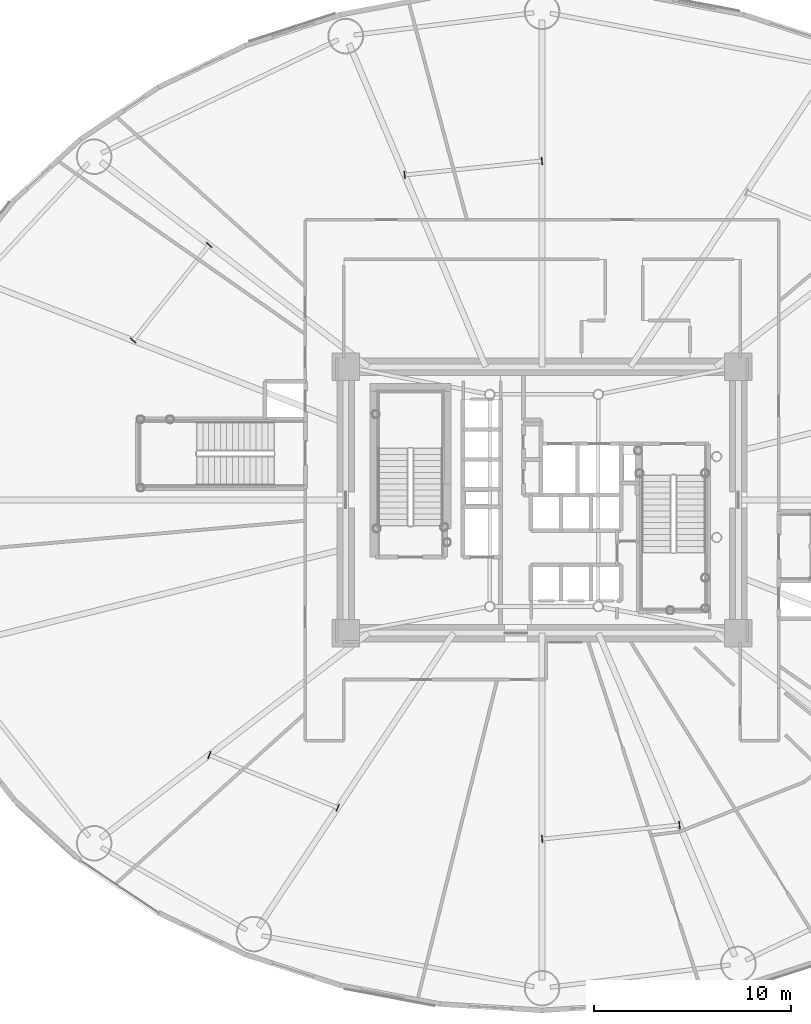
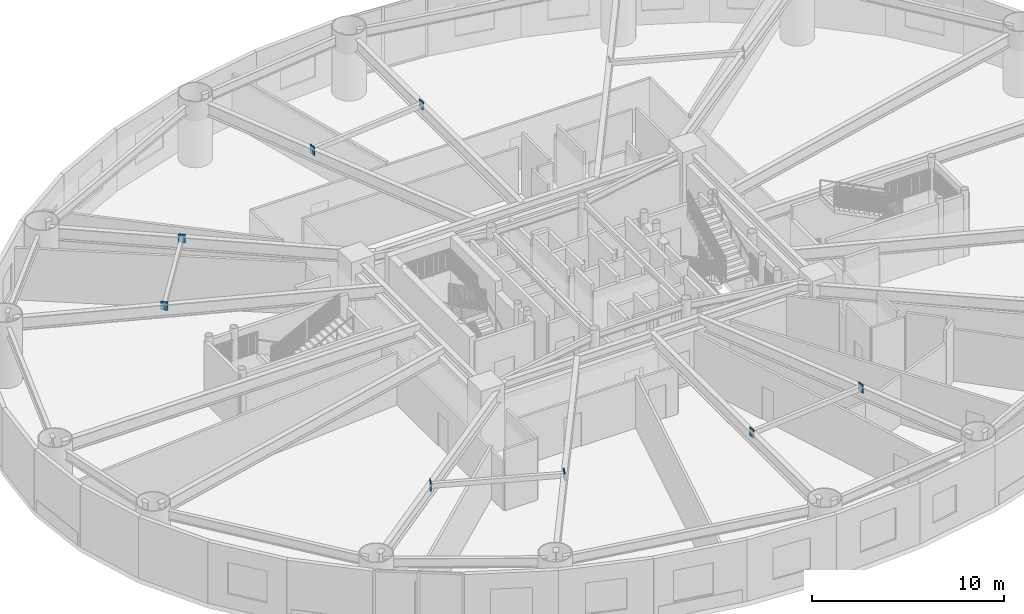
# One storey, part 13 of 30: 8 plates.
"""IFC4 building model written with IfcOpenShell, lengths in metres."""

from ifc_helpers import new_model, si_unit, direction, frame, origin, origin_2d, place, context, subcontext, project, spatial, rectangle, extrude, source, transform, mapped, material, layer, layer_set, type_object, element, save


model = new_model("IFC4")

# Units and contexts
model_context = context("Model", 3, precision=1e-05, world=origin(), true_north=direction((0.0, 1.0)))
body_context = subcontext(model_context, "Body", "Model", "MODEL_VIEW")
ifc_project = project(units=[si_unit("LENGTHUNIT", "METRE"), si_unit("AREAUNIT", "SQUARE_METRE"), si_unit("VOLUMEUNIT", "CUBIC_METRE"), si_unit("PLANEANGLEUNIT", "RADIAN"), si_unit("MASSUNIT", "GRAM", prefix="KILO")], contexts=[model_context])

# Site, building, storey
site_placement = place(None, origin())
site = spatial("IfcSite", under=ifc_project, at=site_placement, CompositionType="ELEMENT")
building_placement = place(site_placement, origin())
building = spatial("IfcBuilding", under=site, at=building_placement, Name="Linh Dai School and Residence Tower", CompositionType="ELEMENT")
storey_placement = place(building_placement, frame((0.0, 0.0, 10.199951171875)))
storey = spatial("IfcBuildingStorey", under=building, at=storey_placement, Name="L02", CompositionType="ELEMENT", Elevation=10.199951171875)

# Plates
ifc_material = material(Name="Structural Steel S355JR", Category="steel")
ifc_layer = layer(ifc_material, 0.0400390625)
ifc_layer_set = layer_set([ifc_layer], Name="Structural Steel S355JR")
plate_type = type_object("IfcPlateType", Name="PLT-GP1", PredefinedType="USERDEFINED", material=ifc_layer_set)
shared_shape = source(origin(), body_context, "Body", "SweptSolid", [
    extrude(rectangle(XDim=0.0400390625, YDim=0.3798828125, at=origin_2d()), origin(), (0.0, 0.0, 1.0), 0.5400390625),
])
for number, where, z_axis, x_axis, name in (
    (1, (35.9951171875, 44.189453125, 3.47998046875), (0.0, 0.0, 1.0), (-0.994771705806, -0.102123715795, 0.0), "L02 Secondary Beam End Plate 03A"),
    (2, (29.03369140625, 43.474853515625, 3.47998046875), (0.0, 0.0, 1.0), (-0.994771705806, -0.102123715795, 0.0), "L02 Secondary Beam End Plate 03B"),
    (3, (19.128662109375, 39.923583984375, 3.47998046875), (0.0, 0.0, 1.0), (-0.622932610294, -0.78227550328, 0.0), "L02 Secondary Beam End Plate 04A"),
    (4, (15.274658203125, 35.083740234375, 3.47998046875), (0.0, 0.0, 1.0), (-0.622932610294, -0.78227550328, 0.0), "L02 Secondary Beam End Plate 04B"),
    (5, (19.13623046875, 14.07080078125, 3.47998046875), (0.0, 0.0, 1.0), (0.925232467292, -0.379400687228, 0.0), "L02 Secondary Beam End Plate 06A"),
    (6, (25.639892578125, 11.40380859375, 3.47998046875), (0.0, 0.0, 1.0), (0.925232467292, -0.379400687228, 0.0), "L02 Secondary Beam End Plate 06B"),
    (7, (36.0048828125, 9.810546875, 3.47998046875), (0.0, 0.0, 1.0), (0.994771705806, 0.102123715795, 0.0), "L02 Secondary Beam End Plate 07A"),
    (8, (42.96630859375, 10.525146484375, 3.47998046875), (0.0, 0.0, 1.0), (0.994771705806, 0.102123715795, 0.0), "L02 Secondary Beam End Plate 07B"),
):
    element("IfcPlate", number, at=place(storey_placement, frame(where, z_axis=z_axis, x_axis=x_axis)), inside=storey, type_object=plate_type, Name=name, ObjectType="GUSSET PLATE", PredefinedType="USERDEFINED", context=body_context, shape_type="MappedRepresentation", body=[
        mapped(shared_shape, transform((0.0, 0.0, 0.0), x_axis=(1.0, 0.0, 0.0), y_axis=(0.0, 1.0, 0.0), z_axis=(0.0, 0.0, 1.0), scale=1.0)),
    ])

save(model, "model.ifc")
